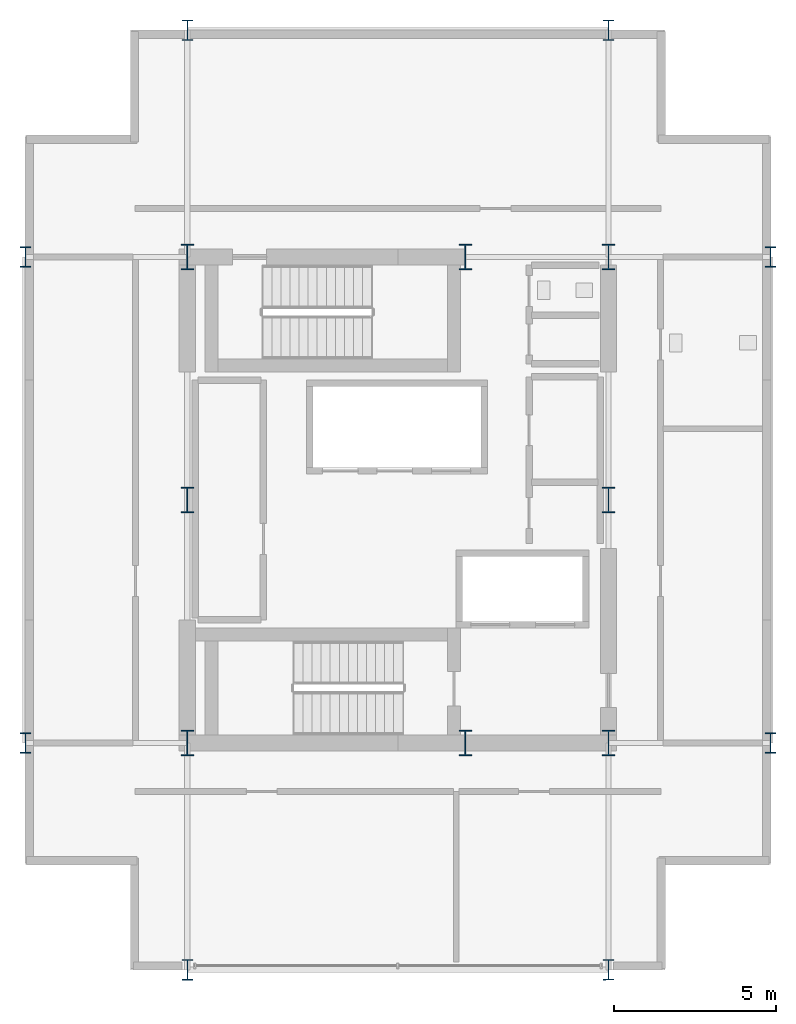
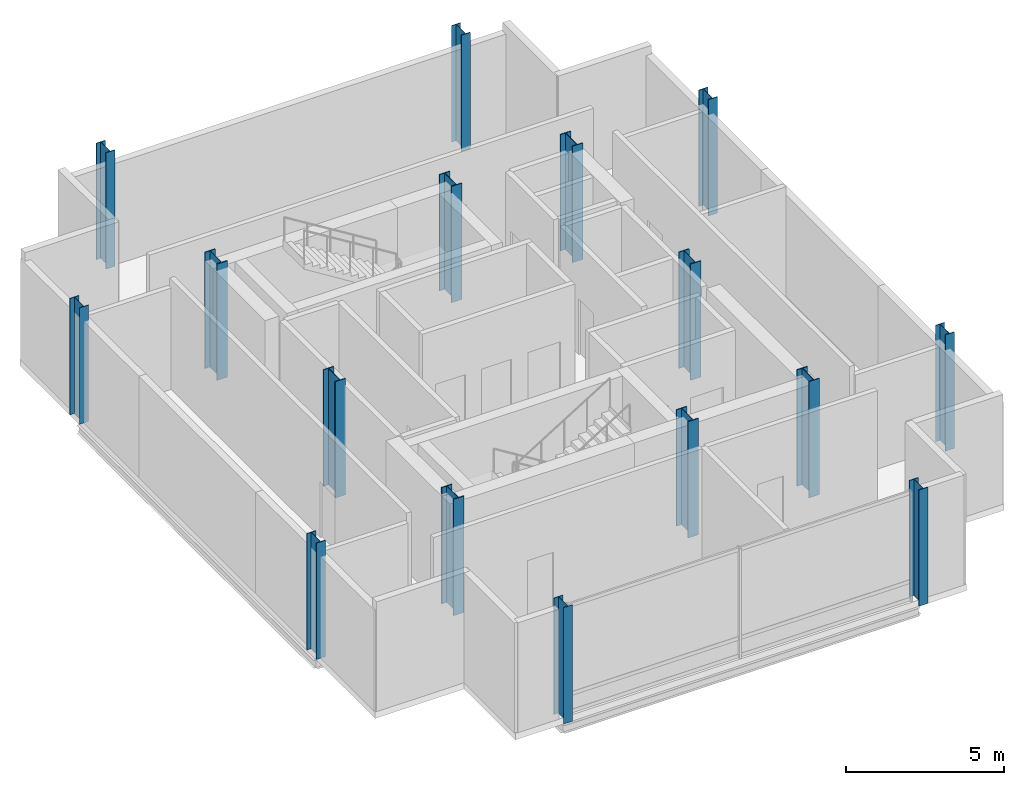
# One storey, part 1 of 10: 16 columns.
"""IFC4 building model written with IfcOpenShell, lengths in metres."""

from ifc_helpers import new_model, si_unit, direction, frame, origin, origin_2d, place, context, subcontext, project, spatial, i_section, extrude, material, material_profile, profile_set, type_object, element, save


model = new_model("IFC4")

# Units and contexts
model_context = context("Model", 3, precision=1e-05, world=origin(), true_north=direction((0.0, 1.0)))
body_context = subcontext(model_context, "Body", "Model", "MODEL_VIEW")
ifc_project = project(units=[si_unit("LENGTHUNIT", "METRE"), si_unit("AREAUNIT", "SQUARE_METRE"), si_unit("VOLUMEUNIT", "CUBIC_METRE"), si_unit("PLANEANGLEUNIT", "RADIAN"), si_unit("MASSUNIT", "GRAM", prefix="KILO")], contexts=[model_context])

# Site, building, storey
site_placement = place(None, origin())
site = spatial("IfcSite", under=ifc_project, at=site_placement, CompositionType="ELEMENT")
building_placement = place(site_placement, origin())
building = spatial("IfcBuilding", under=site, at=building_placement, Name="Barlavira Tower and Art Museum", CompositionType="ELEMENT")
storey_placement = place(building_placement, frame((0.0, 0.0, 314.39990234375)))
storey = spatial("IfcBuildingStorey", under=building, at=storey_placement, Name="L82", CompositionType="ELEMENT", Elevation=314.39990234375)

# Columns
ifc_material = material(Name="Steel S355", Category="steel")
ifc_material_profile_1 = material_profile(ifc_material, i_section(OverallWidth=0.382080078125, OverallDepth=0.785888671875, WebThickness=0.02001953125, FlangeThickness=0.032958984375, at=origin_2d()), Name="W760x314.0")
ifc_profile_set_1 = profile_set([ifc_material_profile_1], Name="Steel S355")
column_type_1 = type_object("IfcColumnType", Name="Core Composite Column W760x314 Steel S355", PredefinedType="COLUMN", material=ifc_profile_set_1)
for number, where, z_axis, x_axis, name in (
    (1, (-6.5, -7.5, 0.0), (0.0, 0.0, 1.0), (1.0, 0.0, 0.0), "L82 Column CC-L82-C1"),
    (2, (2.080078125, -7.5, 0.0), (0.0, 0.0, 1.0), (1.0, 0.0, 0.0), "L82 Column CC-L82-C2"),
    (3, (6.5, -7.5, 0.0), (0.0, 0.0, 1.0), (1.0, 0.0, 0.0), "L82 Column CC-L82-C3"),
    (4, (-6.5, 0.0, 0.0), (0.0, 0.0, 1.0), (1.0, 0.0, 0.0), "L82 Column CC-L82-C4"),
    (5, (6.5, 0.0, 0.0), (0.0, 0.0, 1.0), (1.0, 0.0, 0.0), "L82 Column CC-L82-C5"),
    (6, (-6.5, 7.5, 0.0), (0.0, 0.0, 1.0), (1.0, 0.0, 0.0), "L82 Column CC-L82-C6"),
    (7, (2.080078125, 7.5, 0.0), (0.0, 0.0, 1.0), (1.0, 0.0, 0.0), "L82 Column CC-L82-C7"),
    (8, (6.5, 7.5, 0.0), (0.0, 0.0, 1.0), (1.0, 0.0, 0.0), "L82 Column CC-L82-C8"),
):
    element("IfcColumn", number, at=place(storey_placement, frame(where, z_axis=z_axis, x_axis=x_axis)), inside=storey, type_object=column_type_1, Name=name, PredefinedType="COLUMN", context=body_context, shape_type="SweptSolid", body=[
        extrude(i_section(OverallWidth=0.382080078125, OverallDepth=0.785888671875, WebThickness=0.02001953125, FlangeThickness=0.032958984375, at=origin_2d()), origin(), (0.0, 0.0, 1.0), 4.5),
    ])
ifc_material_profile_2 = material_profile(ifc_material, i_section(OverallWidth=0.327880859375, OverallDepth=0.62890625, WebThickness=0.013916015625, FlangeThickness=0.021484375, at=origin_2d()), Name="W610x174.0")
ifc_profile_set_2 = profile_set([ifc_material_profile_2], Name="Steel S355")
column_type_2 = type_object("IfcColumnType", Name="Crown Frame Column W610x174 Steel S355", PredefinedType="COLUMN", material=ifc_profile_set_2)
for number, where, z_axis, x_axis, name in (
    (9, (-6.5, -14.5, 0.0), (0.0, 0.0, 1.0), (1.0, 0.0, 0.0), "L82 Column CCR-L82-CR1"),
    (10, (6.5, -14.5, 0.0), (0.0, 0.0, 1.0), (1.0, 0.0, 0.0), "L82 Column CCR-L82-CR3"),
    (11, (-11.5, -7.5, 0.0), (0.0, 0.0, 1.0), (1.0, 0.0, 0.0), "L82 Column CCR-L82-CR6"),
    (12, (11.5, -7.5, 0.0), (0.0, 0.0, 1.0), (1.0, 0.0, 0.0), "L82 Column CCR-L82-CR7"),
    (13, (-11.5, 7.5, 0.0), (0.0, 0.0, 1.0), (1.0, 0.0, 0.0), "L82 Column CCR-L82-CRA"),
    (14, (11.5, 7.5, 0.0), (0.0, 0.0, 1.0), (1.0, 0.0, 0.0), "L82 Column CCR-L82-CRB"),
    (15, (-6.5, 14.5, 0.0), (0.0, 0.0, 1.0), (1.0, 0.0, 0.0), "L82 Column CCR-L82-CRE"),
    (16, (6.5, 14.5, 0.0), (0.0, 0.0, 1.0), (1.0, 0.0, 0.0), "L82 Column CCR-L82-CRG"),
):
    element("IfcColumn", number, at=place(storey_placement, frame(where, z_axis=z_axis, x_axis=x_axis)), inside=storey, type_object=column_type_2, Name=name, PredefinedType="COLUMN", context=body_context, shape_type="SweptSolid", body=[
        extrude(i_section(OverallWidth=0.327880859375, OverallDepth=0.62890625, WebThickness=0.013916015625, FlangeThickness=0.021484375, at=origin_2d()), origin(), (0.0, 0.0, 1.0), 4.5),
    ])

save(model, "model.ifc")
